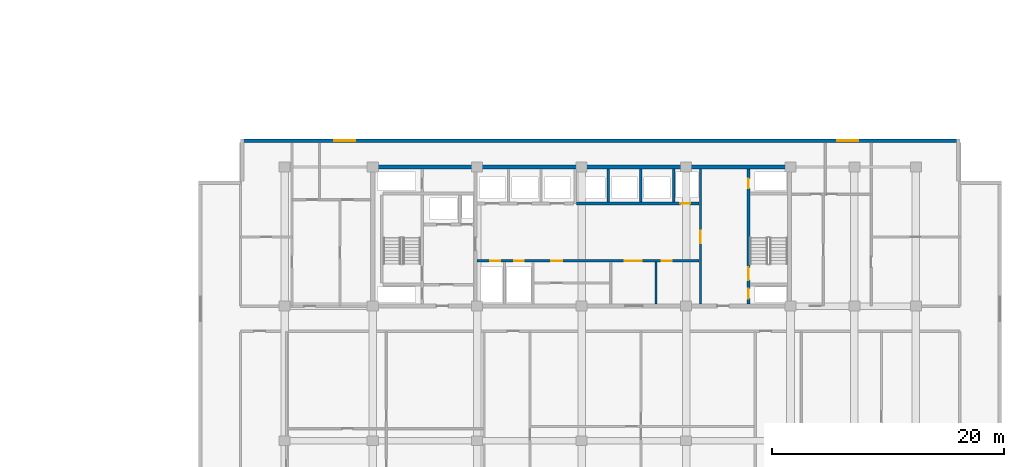
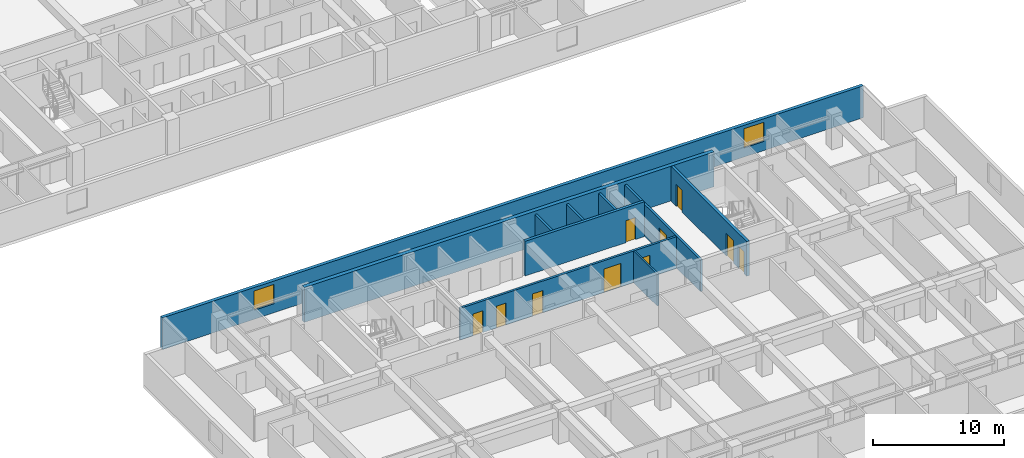
# One storey, part 7 of 23: 10 doors, 10 walls, 2 windows, 12 openings.
"""IFC4 building model written with IfcOpenShell, lengths in metres."""

from ifc_helpers import new_model, si_unit, direction, frame, frame_2d, origin, place, context, subcontext, project, spatial, rectangle, extrude, material, layer, layer_set, type_object, element, fill, save


model = new_model("IFC4")

# Units and contexts
model_context = context("Model", 3, precision=1e-05, world=origin(), true_north=direction((0.0, 1.0)))
body_context = subcontext(model_context, "Body", "Model", "MODEL_VIEW")
ifc_project = project(units=[si_unit("LENGTHUNIT", "METRE"), si_unit("AREAUNIT", "SQUARE_METRE"), si_unit("VOLUMEUNIT", "CUBIC_METRE"), si_unit("PLANEANGLEUNIT", "RADIAN"), si_unit("MASSUNIT", "GRAM", prefix="KILO")], contexts=[model_context])

# Site, building, storey
site_placement = place(None, origin())
site = spatial("IfcSite", under=ifc_project, at=site_placement, CompositionType="ELEMENT")
building_placement = place(site_placement, origin())
building = spatial("IfcBuilding", under=site, at=building_placement, Name="Korimba Cascade Residences", CompositionType="ELEMENT")
storey_placement = place(building_placement, frame((0.0, 0.0, 59.75)))
storey = spatial("IfcBuildingStorey", under=building, at=storey_placement, Name="L16", CompositionType="ELEMENT", Elevation=59.75)

# Wall, openings, windows
ifc_material_1 = material(Name="Precast concrete C40/50", Category="concrete")
ifc_layer_1 = layer(ifc_material_1, 0.300048828125)
ifc_layer_set_1 = layer_set([ifc_layer_1], Name="Precast concrete C40/50")
wall_type_1 = type_object("IfcWallType", Name="EW-STONE-300", PredefinedType="STANDARD", material=ifc_layer_set_1)
wall_1_placement = place(storey_placement, frame((132.699951171875, 32.64990234375, 0.0), z_axis=(0.0, 0.0, 1.0), x_axis=(-1.0, 0.0, 0.0)))
wall_1 = element("IfcWall", 1, at=wall_1_placement, inside=storey, type_object=wall_type_1, Name="L16 T2 Perimeter Stone Wall E06", PredefinedType="STANDARD", context=body_context, shape_type="SweptSolid", body=[
    extrude(rectangle(XDim=62.0, YDim=0.300048828125, at=frame_2d((31.0, 0.0))), origin(), (0.0, 0.0, 1.0), 2.969970703125),
])
opening_1_placement = place(wall_1_placement, frame((52.125, 0.0, 0.85009765625)))
opening_1 = element("IfcOpeningElement", 2, at=opening_1_placement, cuts=wall_1, Name="Opening W-02", PredefinedType="OPENING", context=body_context, shape_type="SweptSolid", body=[
    extrude(rectangle(XDim=1.800048828125, YDim=1.800048828125, at=frame_2d((0.89990234375, 0.89990234375))), frame((0.0, 0.16015625, 0.0), z_axis=(0.0, -1.0, 0.0), x_axis=(1.0, 0.0, 0.0)), (0.0, 0.0, 1.0), 0.320068359375),
])
opening_2_placement = place(wall_1_placement, frame((8.77490234375, 0.0, 0.85009765625)))
opening_2 = element("IfcOpeningElement", 3, at=opening_2_placement, cuts=wall_1, Name="Opening W-02", PredefinedType="OPENING", context=body_context, shape_type="SweptSolid", body=[
    extrude(rectangle(XDim=1.800048828125, YDim=1.800048828125, at=frame_2d((0.89990234375, 0.89990234375))), frame((0.0, 0.16015625, 0.0), z_axis=(0.0, -1.0, 0.0), x_axis=(1.0, 0.0, 0.0)), (0.0, 0.0, 1.0), 0.320068359375),
])
ifc_material_2 = material(Name="Double-Glazed Aluminium Window", Category="aluminium")
window_type = type_object("IfcWindowType", Name="WIN-BED-1800", PartitioningType="SINGLE_PANEL", PredefinedType="WINDOW", material=ifc_material_2)
window_1_placement = place(opening_1_placement, origin())
window_1 = element("IfcWindow", 4, at=window_1_placement, inside=storey, type_object=window_type, Name="L16 T2 North Corner Bedroom Window 1", OverallHeight=1.800048828125, OverallWidth=1.800048828125, PartitioningType="SINGLE_PANEL", PredefinedType="WINDOW", context=body_context, shape_type="SweptSolid", body=[
    extrude(rectangle(XDim=1.800048828125, YDim=1.800048828125, at=frame_2d((0.89990234375, 0.89990234375))), frame((0.0, 0.030029296875, 0.0), z_axis=(0.0, -1.0, 0.0), x_axis=(1.0, 0.0, 0.0)), (0.0, 0.0, 1.0), 0.06005859375),
])
fill(opening_1, window_1)
window_2_placement = place(opening_2_placement, origin())
window_2 = element("IfcWindow", 5, at=window_2_placement, inside=storey, type_object=window_type, Name="L16 T2 North Corner Bedroom Window 2", OverallHeight=1.800048828125, OverallWidth=1.800048828125, PartitioningType="SINGLE_PANEL", PredefinedType="WINDOW", context=body_context, shape_type="SweptSolid", body=[
    extrude(rectangle(XDim=1.800048828125, YDim=1.800048828125, at=frame_2d((0.89990234375, 0.89990234375))), frame((0.0, 0.030029296875, 0.0), z_axis=(0.0, -1.0, 0.0), x_axis=(1.0, 0.0, 0.0)), (0.0, 0.0, 1.0), 0.06005859375),
])
fill(opening_2, window_2)

# Walls
ifc_material_3 = material(Name="Concrete C65/80", Category="concrete")
ifc_layer_2 = layer(ifc_material_3, 0.35009765625)
ifc_layer_set_2 = layer_set([ifc_layer_2], Name="Concrete C65/80")
wall_type_2 = type_object("IfcWallType", Name="WAL-CORE-350", PredefinedType="SHEAR", material=ifc_layer_set_2)
wall_2_placement = place(storey_placement, frame((81.925048828125, 30.39990234375, 0.0), z_axis=(0.0, 0.0, 1.0), x_axis=(1.0, 0.0, 0.0)))
element("IfcWall", 6, at=wall_2_placement, inside=storey, type_object=wall_type_2, Name="L16 Core Shear Wall CW-L16-T2-N", PredefinedType="SHEAR", context=body_context, shape_type="SweptSolid", body=[
    extrude(rectangle(XDim=36.264892578125, YDim=0.35009765625, at=frame_2d((18.13232421875, 0.0))), origin(), (0.0, 0.0, 1.0), 3.25),
])
ifc_material_4 = material(Name="Insulated Acoustic Stud Partition", Category="gypsum")
ifc_layer_3 = layer(ifc_material_4, 0.14990234375)
ifc_layer_set_3 = layer_set([ifc_layer_3], Name="Insulated Acoustic Stud Partition")
wall_type_3 = type_object("IfcWallType", Name="WAL-PART-150", PredefinedType="PARTITIONING", material=ifc_layer_set_3)
wall_3_placement = place(storey_placement, frame((106.5, 18.60009765625, 0.0), z_axis=(0.0, 0.0, 1.0), x_axis=(0.0, 1.0, 0.0)))
element("IfcWall", 7, at=wall_3_placement, inside=storey, type_object=wall_type_3, Name="L16 Partition Wall CW-L16-T2-THE", PredefinedType="PARTITIONING", context=body_context, shape_type="SweptSolid", body=[
    extrude(rectangle(XDim=3.599853515625, YDim=0.14990234375, at=frame_2d((1.7998046875, 0.0))), origin(), (0.0, 0.0, 1.0), 2.969970703125),
])
ifc_material_5 = material(Name="Concrete C40/50", Category="concrete")
ifc_layer_4 = layer(ifc_material_5, 0.199951171875)
ifc_layer_set_4 = layer_set([ifc_layer_4], Name="Concrete C40/50")
wall_type_4 = type_object("IfcWallType", Name="WAL-PART-200", PredefinedType="PARTITIONING", material=ifc_layer_set_4)
for number, where, z_axis, x_axis, name in (
    (8, (102.39990234375, 27.3798828125, 0.0), (0.0, 0.0, 1.0), (0.0, 1.0, 0.0), "L16 Partition Wall CW-L16-T2-B2D1"),
    (9, (105.199951171875, 27.3798828125, 0.0), (0.0, 0.0, 1.0), (0.0, 1.0, 0.0), "L16 Partition Wall CW-L16-T2-B2D2"),
    (10, (108.050048828125, 27.3798828125, 0.0), (0.0, 0.0, 1.0), (0.0, 1.0, 0.0), "L16 Partition Wall CW-L16-T2-B2D3"),
):
    element("IfcWall", number, at=place(storey_placement, frame(where, z_axis=z_axis, x_axis=x_axis)), inside=storey, type_object=wall_type_4, Name=name, PredefinedType="PARTITIONING", context=body_context, shape_type="SweptSolid", body=[
        extrude(rectangle(XDim=2.820068359375, YDim=0.199951171875, at=frame_2d((1.41015625, 0.0))), origin(), (0.0, 0.0, 1.0), 2.969970703125),
    ])

# Wall, openings, doors
wall_4_placement = place(storey_placement, frame((91.080078125, 22.300048828125, 0.0), z_axis=(0.0, 0.0, 1.0), x_axis=(1.0, 0.0, 0.0)))
wall_4 = element("IfcWall", 11, at=wall_4_placement, inside=storey, type_object=wall_type_4, Name="L16 Partition Wall CW-L16-T2-SRVROW", PredefinedType="PARTITIONING", context=body_context, shape_type="SweptSolid", body=[
    extrude(rectangle(XDim=19.139892578125, YDim=0.199951171875, at=frame_2d((9.56982421875, 0.0))), origin(), (0.0, 0.0, 1.0), 2.969970703125),
])
opening_3_placement = place(wall_4_placement, frame((1.14990234375, 0.0, 0.0)))
opening_3 = element("IfcOpeningElement", 12, at=opening_3_placement, cuts=wall_4, Name="Opening D-RS1", PredefinedType="OPENING", context=body_context, shape_type="SweptSolid", body=[
    extrude(rectangle(XDim=0.85009765625, YDim=2.050048828125, at=frame_2d((0.425048828125, 1.02490234375))), frame((0.0, 0.10986328125, 0.0), z_axis=(0.0, -1.0, 0.0), x_axis=(1.0, 0.0, 0.0)), (0.0, 0.0, 1.0), 0.219970703125),
])
opening_4_placement = place(wall_4_placement, frame((3.199951171875, 0.0, 0.0)))
opening_4 = element("IfcOpeningElement", 13, at=opening_4_placement, cuts=wall_4, Name="Opening D-RS1", PredefinedType="OPENING", context=body_context, shape_type="SweptSolid", body=[
    extrude(rectangle(XDim=0.85009765625, YDim=2.050048828125, at=frame_2d((0.425048828125, 1.02490234375))), frame((0.0, 0.10986328125, 0.0), z_axis=(0.0, -1.0, 0.0), x_axis=(1.0, 0.0, 0.0)), (0.0, 0.0, 1.0), 0.219970703125),
])
opening_5_placement = place(wall_4_placement, frame((12.719970703125, 0.0, 0.0)))
opening_5 = element("IfcOpeningElement", 14, at=opening_5_placement, cuts=wall_4, Name="Opening D-FD8", PredefinedType="OPENING", context=body_context, shape_type="SweptSolid", body=[
    extrude(rectangle(XDim=1.5, YDim=2.199951171875, at=frame_2d((0.75, 1.10009765625))), frame((0.0, 0.10986328125, 0.0), z_axis=(0.0, -1.0, 0.0), x_axis=(1.0, 0.0, 0.0)), (0.0, 0.0, 1.0), 0.219970703125),
])
opening_6_placement = place(wall_4_placement, frame((6.419921875, 0.0, 0.0)))
opening_6 = element("IfcOpeningElement", 15, at=opening_6_placement, cuts=wall_4, Name="Opening D-IN1", PredefinedType="OPENING", context=body_context, shape_type="SweptSolid", body=[
    extrude(rectangle(XDim=0.919921875, YDim=2.080078125, at=frame_2d((0.4599609375, 1.0400390625))), frame((0.0, 0.10986328125, 0.0), z_axis=(0.0, -1.0, 0.0), x_axis=(1.0, 0.0, 0.0)), (0.0, 0.0, 1.0), 0.219970703125),
])
opening_7_placement = place(wall_4_placement, frame((15.919921875, 0.0, 0.0)))
opening_7 = element("IfcOpeningElement", 16, at=opening_7_placement, cuts=wall_4, Name="Opening D-IN2", PredefinedType="OPENING", context=body_context, shape_type="SweptSolid", body=[
    extrude(rectangle(XDim=0.8798828125, YDim=2.06005859375, at=frame_2d((0.43994140625, 1.030029296875))), frame((0.0, 0.10986328125, 0.0), z_axis=(0.0, -1.0, 0.0), x_axis=(1.0, 0.0, 0.0)), (0.0, 0.0, 1.0), 0.219970703125),
])
ifc_material_6 = material(Name="Fire-Rated Steel Riser Access Door", Category="steel")
door_type_1 = type_object("IfcDoorType", Name="DR-FD60-850", OperationType="NOTDEFINED", PredefinedType="DOOR", material=ifc_material_6)
door_1_placement = place(opening_3_placement, origin())
door_1 = element("IfcDoor", 17, at=door_1_placement, inside=storey, type_object=door_type_1, Name="L16 T2 Electrical Riser Door", OperationType="SINGLE_SWING_LEFT", OverallHeight=2.050048828125, OverallWidth=0.85009765625, PredefinedType="DOOR", context=body_context, shape_type="SweptSolid", body=[
    extrude(rectangle(XDim=0.85009765625, YDim=2.050048828125, at=frame_2d((0.425048828125, 1.02490234375))), frame((0.0, 0.02490234375, 0.0), z_axis=(0.0, -1.0, 0.0), x_axis=(1.0, 0.0, 0.0)), (0.0, 0.0, 1.0), 0.050048828125),
])
fill(opening_3, door_1)
door_2_placement = place(opening_4_placement, origin())
door_2 = element("IfcDoor", 18, at=door_2_placement, inside=storey, type_object=door_type_1, Name="L16 T2 Plumbing Riser Door", OperationType="SINGLE_SWING_RIGHT", OverallHeight=2.050048828125, OverallWidth=0.85009765625, PredefinedType="DOOR", context=body_context, shape_type="SweptSolid", body=[
    extrude(rectangle(XDim=0.85009765625, YDim=2.050048828125, at=frame_2d((0.425048828125, 1.02490234375))), frame((0.0, 0.02490234375, 0.0), z_axis=(0.0, -1.0, 0.0), x_axis=(1.0, 0.0, 0.0)), (0.0, 0.0, 1.0), 0.050048828125),
])
fill(opening_4, door_2)
ifc_material_7 = material(Name="Fire-Rated Glazed Lift Lobby Double Door", Category="glass")
door_type_2 = type_object("IfcDoorType", Name="DR-FD90-1500", OperationType="NOTDEFINED", PredefinedType="DOOR", material=ifc_material_7)
door_3_placement = place(opening_5_placement, origin())
door_3 = element("IfcDoor", 19, at=door_3_placement, inside=storey, type_object=door_type_2, Name="L16 T2 Lift Lobby Foyer Door", OperationType="DOUBLE_DOOR_SINGLE_SWING", OverallHeight=2.199951171875, OverallWidth=1.5, PredefinedType="DOOR", context=body_context, shape_type="SweptSolid", body=[
    extrude(rectangle(XDim=1.5, YDim=2.199951171875, at=frame_2d((0.75, 1.10009765625))), frame((0.0, 0.02490234375, 0.0), z_axis=(0.0, -1.0, 0.0), x_axis=(1.0, 0.0, 0.0)), (0.0, 0.0, 1.0), 0.050048828125),
])
fill(opening_5, door_3)
ifc_material_8 = material(Name="Acoustic Timber Bedroom Door", Category="wood")
door_type_3 = type_object("IfcDoorType", Name="DR-INT-880", OperationType="NOTDEFINED", PredefinedType="DOOR", material=ifc_material_8)
door_4_placement = place(opening_7_placement, origin())
door_4 = element("IfcDoor", 20, at=door_4_placement, inside=storey, type_object=door_type_3, Name="L16 T2 Staff WC Door", OperationType="SINGLE_SWING_RIGHT", OverallHeight=2.06005859375, OverallWidth=0.8798828125, PredefinedType="DOOR", context=body_context, shape_type="SweptSolid", body=[
    extrude(rectangle(XDim=0.8798828125, YDim=2.06005859375, at=frame_2d((0.43994140625, 1.030029296875))), frame((0.0, 0.02490234375, 0.0), z_axis=(0.0, -1.0, 0.0), x_axis=(1.0, 0.0, 0.0)), (0.0, 0.0, 1.0), 0.050048828125),
])
fill(opening_7, door_4)
ifc_material_9 = material(Name="Acoustic Timber Living Door", Category="wood")
door_type_4 = type_object("IfcDoorType", Name="DR-INT-920", OperationType="NOTDEFINED", PredefinedType="DOOR", material=ifc_material_9)
door_5_placement = place(opening_6_placement, origin())
door_5 = element("IfcDoor", 21, at=door_5_placement, inside=storey, type_object=door_type_4, Name="L16 T2 Locker Door", OperationType="SINGLE_SWING_LEFT", OverallHeight=2.080078125, OverallWidth=0.919921875, PredefinedType="DOOR", context=body_context, shape_type="SweptSolid", body=[
    extrude(rectangle(XDim=0.919921875, YDim=2.080078125, at=frame_2d((0.4599609375, 1.0400390625))), frame((0.0, 0.02490234375, 0.0), z_axis=(0.0, -1.0, 0.0), x_axis=(1.0, 0.0, 0.0)), (0.0, 0.0, 1.0), 0.050048828125),
])
fill(opening_6, door_5)

# Wall, opening, door
wall_5_placement = place(storey_placement, frame((110.35009765625, 18.60009765625, 0.0), z_axis=(0.0, 0.0, 1.0), x_axis=(0.0, 1.0, 0.0)))
wall_5 = element("IfcWall", 22, at=wall_5_placement, inside=storey, type_object=wall_type_4, Name="L16 Partition Wall CW-L16-T2-LLEV", PredefinedType="PARTITIONING", context=body_context, shape_type="SweptSolid", body=[
    extrude(rectangle(XDim=11.599853515625, YDim=0.199951171875, at=frame_2d((5.7998046875, 0.0))), origin(), (0.0, 0.0, 1.0), 2.969970703125),
])
opening_8_placement = place(wall_5_placement, frame((5.199951171875, 0.0, 0.0)))
opening_8 = element("IfcOpeningElement", 23, at=opening_8_placement, cuts=wall_5, Name="Opening D-FD6", PredefinedType="OPENING", context=body_context, shape_type="SweptSolid", body=[
    extrude(rectangle(XDim=1.10009765625, YDim=2.14990234375, at=frame_2d((0.550048828125, 1.074951171875))), frame((0.0, 0.10986328125, 0.0), z_axis=(0.0, -1.0, 0.0), x_axis=(1.0, 0.0, 0.0)), (0.0, 0.0, 1.0), 0.219970703125),
])
ifc_material_10 = material(Name="Fire-Rated Timber Stair Lobby Door", Category="wood")
door_type_5 = type_object("IfcDoorType", Name="DR-FD90-1100", OperationType="NOTDEFINED", PredefinedType="DOOR", material=ifc_material_10)
door_6_placement = place(opening_8_placement, origin())
door_6 = element("IfcDoor", 24, at=door_6_placement, inside=storey, type_object=door_type_5, Name="L16 T2 Lift Lobby to East Stair Lobby Door", OperationType="SINGLE_SWING_LEFT", OverallHeight=2.14990234375, OverallWidth=1.10009765625, PredefinedType="DOOR", context=body_context, shape_type="SweptSolid", body=[
    extrude(rectangle(XDim=1.10009765625, YDim=2.14990234375, at=frame_2d((0.550048828125, 1.074951171875))), frame((0.0, 0.02490234375, 0.0), z_axis=(0.0, -1.0, 0.0), x_axis=(1.0, 0.0, 0.0)), (0.0, 0.0, 1.0), 0.050048828125),
])
fill(opening_8, door_6)

ifc_material_11 = material(Name="Concrete C50/60", Category="concrete")
ifc_layer_5 = layer(ifc_material_11, 0.25)
ifc_layer_set_5 = layer_set([ifc_layer_5], Name="Concrete C50/60")
wall_type_5 = type_object("IfcWallType", Name="WAL-SHAFT-250", PredefinedType="SHEAR", material=ifc_layer_set_5)
wall_6_placement = place(storey_placement, frame((99.679931640625, 27.25, 0.0), z_axis=(0.0, 0.0, 1.0), x_axis=(1.0, 0.0, 0.0)))
wall_6 = element("IfcWall", 25, at=wall_6_placement, inside=storey, type_object=wall_type_5, Name="L16 Core Shear Wall CW-L16-T2-B2S", PredefinedType="SHEAR", context=body_context, shape_type="SweptSolid", body=[
    extrude(rectangle(XDim=10.5400390625, YDim=0.25, at=frame_2d((5.27001953125, 0.0))), origin(), (0.0, 0.0, 1.0), 3.25),
])
opening_9_placement = place(wall_6_placement, frame((8.919921875, 0.0, 0.0)))
opening_9 = element("IfcOpeningElement", 26, at=opening_9_placement, cuts=wall_6, Name="Opening D-RS1", PredefinedType="OPENING", context=body_context, shape_type="SweptSolid", body=[
    extrude(rectangle(XDim=0.85009765625, YDim=2.050048828125, at=frame_2d((0.425048828125, 1.02490234375))), frame((0.0, 0.135009765625, 0.0), z_axis=(0.0, -1.0, 0.0), x_axis=(1.0, 0.0, 0.0)), (0.0, 0.0, 1.0), 0.27001953125),
])
door_7_placement = place(opening_9_placement, origin())
door_7 = element("IfcDoor", 27, at=door_7_placement, inside=storey, type_object=door_type_1, Name="L16 T2 Duct Door", OperationType="SINGLE_SWING_LEFT", OverallHeight=2.050048828125, OverallWidth=0.85009765625, PredefinedType="DOOR", context=body_context, shape_type="SweptSolid", body=[
    extrude(rectangle(XDim=0.85009765625, YDim=2.050048828125, at=frame_2d((0.425048828125, 1.02490234375))), frame((0.0, 0.02490234375, 0.0), z_axis=(0.0, -1.0, 0.0), x_axis=(1.0, 0.0, 0.0)), (0.0, 0.0, 1.0), 0.050048828125),
])
fill(opening_9, door_7)

# Wall, openings, doors
wall_7_placement = place(storey_placement, frame((114.47509765625, 18.60009765625, 0.0), z_axis=(0.0, 0.0, 1.0), x_axis=(0.0, 1.0, 0.0)))
wall_7 = element("IfcWall", 28, at=wall_7_placement, inside=storey, type_object=wall_type_5, Name="L16 Core Shear Wall CW-L16-T2-STE2W", PredefinedType="SHEAR", context=body_context, shape_type="SweptSolid", body=[
    extrude(rectangle(XDim=11.599853515625, YDim=0.25, at=frame_2d((5.7998046875, 0.0))), origin(), (0.0, 0.0, 1.0), 3.25),
])
opening_10_placement = place(wall_7_placement, frame((0.449951171875, 0.0, 0.0)))
opening_10 = element("IfcOpeningElement", 29, at=opening_10_placement, cuts=wall_7, Name="Opening D-RS1", PredefinedType="OPENING", context=body_context, shape_type="SweptSolid", body=[
    extrude(rectangle(XDim=0.85009765625, YDim=2.050048828125, at=frame_2d((0.425048828125, 1.02490234375))), frame((0.0, 0.135009765625, 0.0), z_axis=(0.0, -1.0, 0.0), x_axis=(1.0, 0.0, 0.0)), (0.0, 0.0, 1.0), 0.27001953125),
])
opening_11_placement = place(wall_7_placement, frame((2.050048828125, 0.0, 0.0)))
opening_11 = element("IfcOpeningElement", 30, at=opening_11_placement, cuts=wall_7, Name="Opening D-FD1", PredefinedType="OPENING", context=body_context, shape_type="SweptSolid", body=[
    extrude(rectangle(XDim=1.10009765625, YDim=2.10009765625, at=frame_2d((0.550048828125, 1.050048828125))), frame((0.0, 0.135009765625, 0.0), z_axis=(0.0, -1.0, 0.0), x_axis=(1.0, 0.0, 0.0)), (0.0, 0.0, 1.0), 0.27001953125),
])
opening_12_placement = place(wall_7_placement, frame((9.949951171875, 0.0, 0.0)))
opening_12 = element("IfcOpeningElement", 31, at=opening_12_placement, cuts=wall_7, Name="Opening D-RS1", PredefinedType="OPENING", context=body_context, shape_type="SweptSolid", body=[
    extrude(rectangle(XDim=0.85009765625, YDim=2.050048828125, at=frame_2d((0.425048828125, 1.02490234375))), frame((0.0, 0.135009765625, 0.0), z_axis=(0.0, -1.0, 0.0), x_axis=(1.0, 0.0, 0.0)), (0.0, 0.0, 1.0), 0.27001953125),
])
ifc_material_12 = material(Name="Fire-Rated Steel Core Door", Category="steel")
door_type_6 = type_object("IfcDoorType", Name="DR-FD120-1100", OperationType="NOTDEFINED", PredefinedType="DOOR", material=ifc_material_12)
door_8_placement = place(opening_11_placement, origin())
door_8 = element("IfcDoor", 32, at=door_8_placement, inside=storey, type_object=door_type_6, Name="L16 Fire Stair ST-E2 Door", OperationType="SINGLE_SWING_LEFT", OverallHeight=2.10009765625, OverallWidth=1.10009765625, PredefinedType="DOOR", context=body_context, shape_type="SweptSolid", body=[
    extrude(rectangle(XDim=1.10009765625, YDim=2.10009765625, at=frame_2d((0.550048828125, 1.050048828125))), frame((0.0, 0.02490234375, 0.0), z_axis=(0.0, -1.0, 0.0), x_axis=(1.0, 0.0, 0.0)), (0.0, 0.0, 1.0), 0.050048828125),
])
fill(opening_11, door_8)
door_9_placement = place(opening_10_placement, origin())
door_9 = element("IfcDoor", 33, at=door_9_placement, inside=storey, type_object=door_type_1, Name="L16 T2 East Hydrant Door", OperationType="SINGLE_SWING_RIGHT", OverallHeight=2.050048828125, OverallWidth=0.85009765625, PredefinedType="DOOR", context=body_context, shape_type="SweptSolid", body=[
    extrude(rectangle(XDim=0.85009765625, YDim=2.050048828125, at=frame_2d((0.425048828125, 1.02490234375))), frame((0.0, 0.02490234375, 0.0), z_axis=(0.0, -1.0, 0.0), x_axis=(1.0, 0.0, 0.0)), (0.0, 0.0, 1.0), 0.050048828125),
])
fill(opening_10, door_9)
door_10_placement = place(opening_12_placement, origin())
door_10 = element("IfcDoor", 34, at=door_10_placement, inside=storey, type_object=door_type_1, Name="L16 T2 East Riser Door", OperationType="SINGLE_SWING_RIGHT", OverallHeight=2.050048828125, OverallWidth=0.85009765625, PredefinedType="DOOR", context=body_context, shape_type="SweptSolid", body=[
    extrude(rectangle(XDim=0.85009765625, YDim=2.050048828125, at=frame_2d((0.425048828125, 1.02490234375))), frame((0.0, 0.02490234375, 0.0), z_axis=(0.0, -1.0, 0.0), x_axis=(1.0, 0.0, 0.0)), (0.0, 0.0, 1.0), 0.050048828125),
])
fill(opening_12, door_10)

save(model, "model.ifc")
